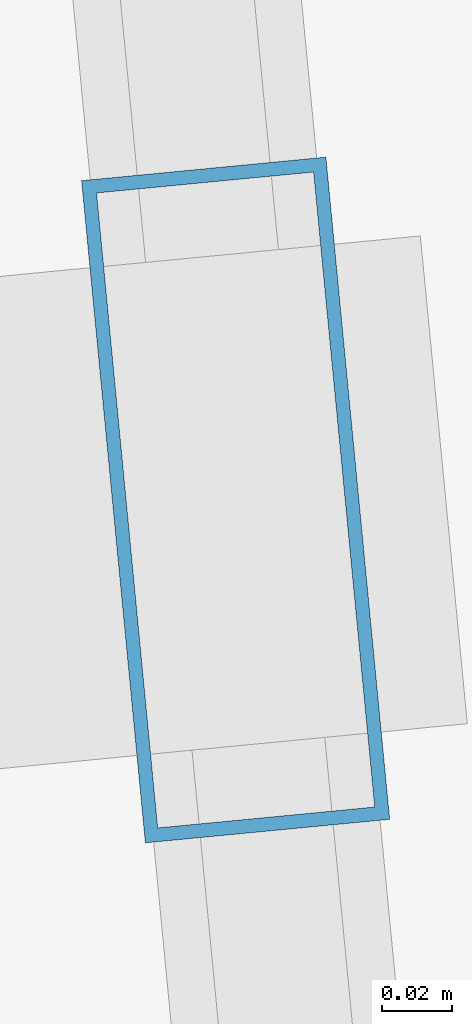
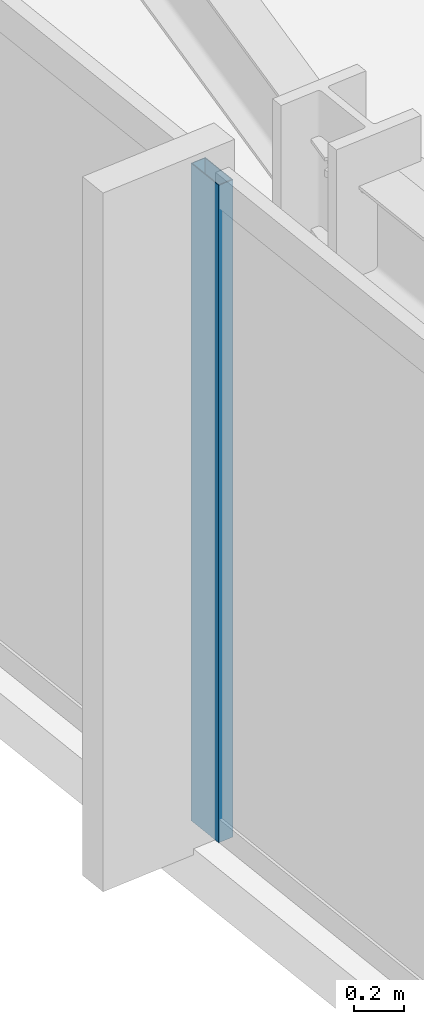
# One storey, part 8 of 33: 1 member, 1 element without a shape of its own.
"""IFC4 building model written with IfcOpenShell, lengths in metres."""

from ifc_helpers import new_model, si_unit, direction, frame, origin, origin_2d, place, context, subcontext, project, spatial, hollow_rectangle, extrude, material, material_profile, profile_set, type_object, element, aggregate, save


model = new_model("IFC4")

# Units and contexts
model_context = context("Model", 3, precision=1e-05, world=origin(), true_north=direction((0.0, 1.0)))
body_context = subcontext(model_context, "Body", "Model", "MODEL_VIEW")
ifc_project = project(units=[si_unit("LENGTHUNIT", "METRE"), si_unit("AREAUNIT", "SQUARE_METRE"), si_unit("VOLUMEUNIT", "CUBIC_METRE"), si_unit("PLANEANGLEUNIT", "RADIAN"), si_unit("MASSUNIT", "GRAM", prefix="KILO")], contexts=[model_context])

# Site, building, storey
site_placement = place(None, origin())
site = spatial("IfcSite", under=ifc_project, at=site_placement, CompositionType="ELEMENT")
building_placement = place(site_placement, origin())
building = spatial("IfcBuilding", under=site, at=building_placement, Name="Yelkora Congress Tower", CompositionType="ELEMENT")
storey_placement = place(building_placement, frame((0.0, 0.0, 123.699951171875)))
storey = spatial("IfcBuildingStorey", under=building, at=storey_placement, Name="L33", CompositionType="ELEMENT", Elevation=123.699951171875)

# Curtain wall, member
ifc_material_1 = material(Name="Anodised aluminium and insulated glass", Category="aluminium")
curtain_wall_type = type_object("IfcCurtainWallType", Name="CW-SYS-B2", PredefinedType="NOTDEFINED", material=ifc_material_1)
curtain_wall_placement = place(storey_placement, origin())
curtain_wall = element("IfcCurtainWall", 1, at=curtain_wall_placement, inside=storey, type_object=curtain_wall_type, Name="L33 Unitised Curtain Wall 5", PredefinedType="NOTDEFINED")
ifc_material_2 = material(Name="Anodised aluminium 6063-T6", Category="aluminium")
ifc_material_profile = material_profile(ifc_material_2, hollow_rectangle(XDim=0.070068359375, YDim=0.18994140625, WallThickness=0.00390625, at=origin_2d()), Name="ALU 70x190x4")
ifc_profile_set = profile_set([ifc_material_profile], Name="Anodised aluminium 6063-T6")
member_type = type_object("IfcMemberType", Name="MEM-ML-B2", PredefinedType="MULLION", material=ifc_profile_set)
member_placement = place(storey_placement, frame((14.47021484375, 35.0341796875, 0.0), z_axis=(0.0, 0.0, 1.0), x_axis=(-0.995396507508, -0.095842541913, 0.0)))
member = element("IfcMember", 2, at=member_placement, type_object=member_type, Name="CW-B2 mullion 4", PredefinedType="MULLION", context=body_context, shape_type="SweptSolid", body=[
    extrude(hollow_rectangle(XDim=0.070068359375, YDim=0.18994140625, WallThickness=0.00390625, at=origin_2d()), origin(), (0.0, 0.0, 1.0), 3.179931640625),
])
aggregate(curtain_wall, [member])

save(model, "model.ifc")
